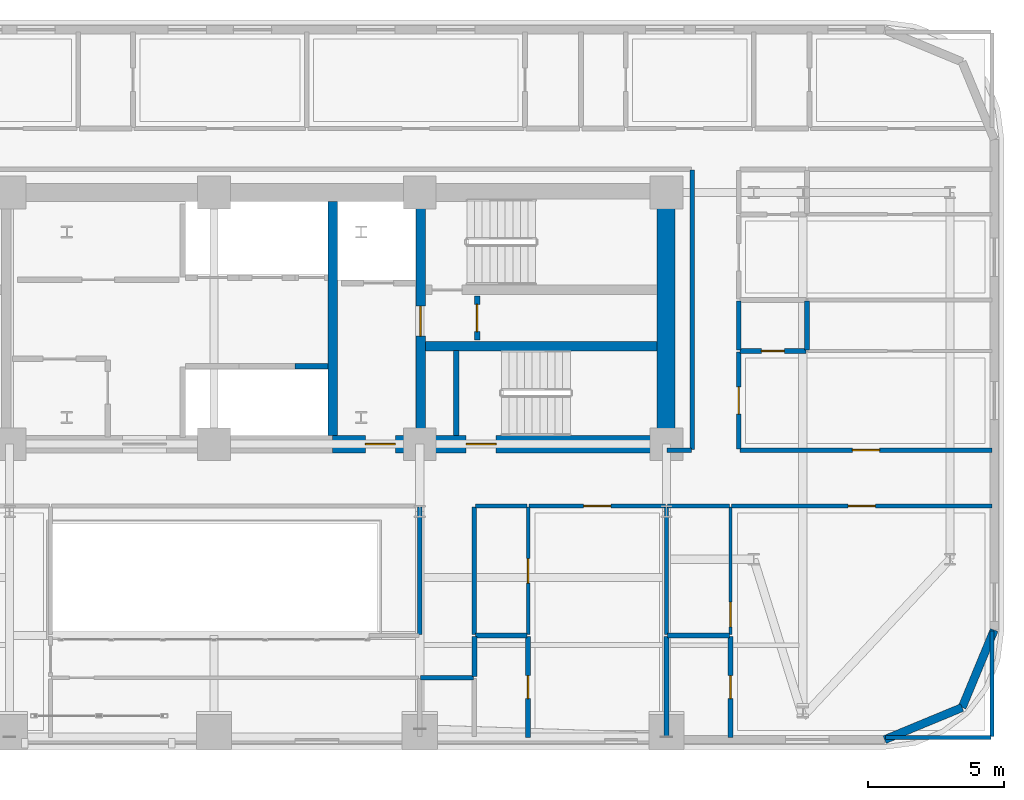
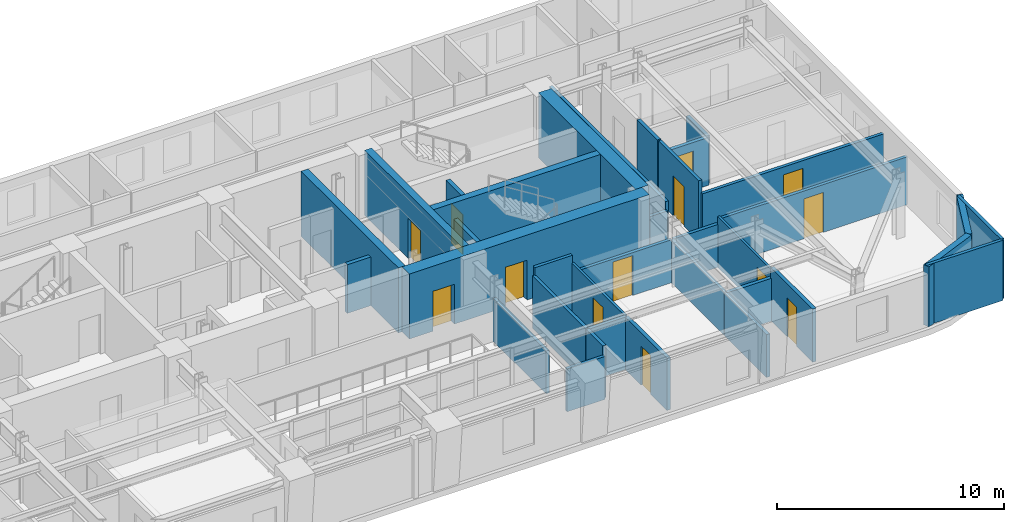
# One storey, part 11 of 16: 35 walls, 13 doors, 13 openings.
"""IFC4 building model written with IfcOpenShell, lengths in metres."""

from ifc_helpers import new_model, si_unit, direction, frame, frame_2d, origin, place, context, subcontext, project, spatial, rectangle, extrude, material, layer, layer_set, type_object, element, fill, save


model = new_model("IFC4")

# Units and contexts
model_context = context("Model", 3, precision=1e-05, world=origin(), true_north=direction((0.0, 1.0)))
body_context = subcontext(model_context, "Body", "Model", "MODEL_VIEW")
ifc_project = project(units=[si_unit("LENGTHUNIT", "METRE"), si_unit("AREAUNIT", "SQUARE_METRE"), si_unit("VOLUMEUNIT", "CUBIC_METRE"), si_unit("PLANEANGLEUNIT", "RADIAN"), si_unit("MASSUNIT", "GRAM", prefix="KILO")], contexts=[model_context])

# Site, building, storey
site_placement = place(None, origin())
site = spatial("IfcSite", under=ifc_project, at=site_placement, CompositionType="ELEMENT")
building_placement = place(site_placement, origin())
building = spatial("IfcBuilding", under=site, at=building_placement, Name="Zarnavel Station Tower", CompositionType="ELEMENT")
storey_placement = place(building_placement, frame((0.0, 0.0, 97.800048828125)))
storey = spatial("IfcBuildingStorey", under=building, at=storey_placement, Name="L26", CompositionType="ELEMENT", Elevation=97.800048828125)

# Wall
ifc_material_1 = material(Name="Concrete C50/60", Category="concrete")
ifc_layer_1 = layer(ifc_material_1, 0.35009765625)
ifc_layer_set_1 = layer_set([ifc_layer_1], Name="CW_350")
wall_type_1 = type_object("IfcWallType", Name="CW_350", PredefinedType="SHEAR", material=ifc_layer_set_1)
wall_1_placement = place(storey_placement, frame((33.14990234375, 28.14501953125, 0.0), z_axis=(0.0, 0.0, 1.0), x_axis=(0.0, 1.0, 0.0)))
element("IfcWall", 1, at=wall_1_placement, inside=storey, type_object=wall_type_1, Name="L26 Rear Core Shear Wall DIV-E", PredefinedType="SHEAR", context=body_context, shape_type="SweptSolid", body=[
    extrude(rectangle(XDim=8.580078125, YDim=0.35009765625, at=frame_2d((4.2900390625, 0.0))), origin(), (0.0, 0.0, 1.0), 3.5),
])

# Wall, opening, door
wall_2_placement = place(storey_placement, frame((36.3798828125, 28.14501953125, 0.0), z_axis=(0.0, 0.0, 1.0), x_axis=(0.0, 1.0, 0.0)))
wall_2 = element("IfcWall", 2, at=wall_2_placement, inside=storey, type_object=wall_type_1, Name="L26 Rear Core Shear Wall DIV-S2", PredefinedType="SHEAR", context=body_context, shape_type="SweptSolid", body=[
    extrude(rectangle(XDim=8.580078125, YDim=0.35009765625, at=frame_2d((4.2900390625, 0.0))), origin(), (0.0, 0.0, 1.0), 3.5),
])
opening_1_placement = place(wall_2_placement, frame((3.635009765625, 0.0, 0.0)))
opening_1 = element("IfcOpeningElement", 3, at=opening_1_placement, cuts=wall_2, Name="Opening FD01", PredefinedType="OPENING", context=body_context, shape_type="SweptSolid", body=[
    extrude(rectangle(XDim=1.10009765625, YDim=2.14990234375, at=frame_2d((0.550048828125, 1.074951171875))), frame((0.0, 0.18505859375, 0.0), z_axis=(0.0, -1.0, 0.0), x_axis=(1.0, 0.0, 0.0)), (0.0, 0.0, 1.0), 0.3701171875),
])
ifc_material_2 = material(Name="Painted Galvanised Steel and Hardwood Leaf", Category="steel")
door_type_1 = type_object("IfcDoorType", Name="ID_STAIR_1100", OperationType="NOTDEFINED", PredefinedType="DOOR", material=ifc_material_2)
door_1_placement = place(opening_1_placement, origin())
door_1 = element("IfcDoor", 4, at=door_1_placement, inside=storey, type_object=door_type_1, Name="L26 East Stair Vestibule Fire Door", OperationType="SINGLE_SWING_LEFT", OverallHeight=2.14990234375, OverallWidth=1.10009765625, PredefinedType="DOOR", context=body_context, shape_type="SweptSolid", body=[
    extrude(rectangle(XDim=1.10009765625, YDim=2.14990234375, at=frame_2d((0.550048828125, 1.074951171875))), frame((0.0, 0.02490234375, 0.0), z_axis=(0.0, -1.0, 0.0), x_axis=(1.0, 0.0, 0.0)), (0.0, 0.0, 1.0), 0.050048828125),
])
fill(opening_1, door_1)

# Wall
wall_3_placement = place(storey_placement, frame((36.554931640625, 31.419921875, 0.0), z_axis=(0.0, 0.0, 1.0), x_axis=(1.0, 0.0, 0.0)))
element("IfcWall", 5, at=wall_3_placement, inside=storey, type_object=wall_type_1, Name="L26 Rear Core Shear Wall DIV-H3", PredefinedType="SHEAR", context=body_context, shape_type="SweptSolid", body=[
    extrude(rectangle(XDim=8.5, YDim=0.35009765625, at=frame_2d((4.25, 0.0))), origin(), (0.0, 0.0, 1.0), 3.5),
])

# Wall, openings, doors
ifc_material_3 = material(Name="Concrete C60/75", Category="concrete")
ifc_layer_2 = layer(ifc_material_3, 0.64990234375)
ifc_layer_set_2 = layer_set([ifc_layer_2], Name="CW_650")
wall_type_2 = type_object("IfcWallType", Name="CW_650", PredefinedType="SHEAR", material=ifc_layer_set_2)
wall_4_placement = place(storey_placement, frame((45.3798828125, 27.820068359375, 0.0), z_axis=(0.0, 0.0, 1.0), x_axis=(-1.0, 0.0, 0.0)))
wall_4 = element("IfcWall", 6, at=wall_4_placement, inside=storey, type_object=wall_type_2, Name="L26 Rear Core Shear Wall S-E", PredefinedType="SHEAR", context=body_context, shape_type="SweptSolid", body=[
    extrude(rectangle(XDim=12.22998046875, YDim=0.64990234375, at=frame_2d((6.114990234375, 0.0))), origin(), (0.0, 0.0, 1.0), 3.5),
])
opening_2_placement = place(wall_4_placement, frame((9.929931640625, 0.0, 0.0)))
opening_2 = element("IfcOpeningElement", 7, at=opening_2_placement, cuts=wall_4, Name="Opening FD01", PredefinedType="OPENING", context=body_context, shape_type="SweptSolid", body=[
    extrude(rectangle(XDim=1.10009765625, YDim=2.14990234375, at=frame_2d((0.550048828125, 1.074951171875))), frame((0.0, 0.3349609375, 0.0), z_axis=(0.0, -1.0, 0.0), x_axis=(1.0, 0.0, 0.0)), (0.0, 0.0, 1.0), 0.669921875),
])
opening_3_placement = place(wall_4_placement, frame((6.22998046875, 0.0, 0.0)))
opening_3 = element("IfcOpeningElement", 8, at=opening_3_placement, cuts=wall_4, Name="Opening FD01", PredefinedType="OPENING", context=body_context, shape_type="SweptSolid", body=[
    extrude(rectangle(XDim=1.10009765625, YDim=2.14990234375, at=frame_2d((0.550048828125, 1.074951171875))), frame((0.0, 0.3349609375, 0.0), z_axis=(0.0, -1.0, 0.0), x_axis=(1.0, 0.0, 0.0)), (0.0, 0.0, 1.0), 0.669921875),
])
door_2_placement = place(opening_2_placement, origin())
door_2 = element("IfcDoor", 9, at=door_2_placement, inside=storey, type_object=door_type_1, Name="L26 East Firefighting Lobby Door", OperationType="SINGLE_SWING_LEFT", OverallHeight=2.14990234375, OverallWidth=1.10009765625, PredefinedType="DOOR", context=body_context, shape_type="SweptSolid", body=[
    extrude(rectangle(XDim=1.10009765625, YDim=2.14990234375, at=frame_2d((0.550048828125, 1.074951171875))), frame((0.0, 0.02490234375, 0.0), z_axis=(0.0, -1.0, 0.0), x_axis=(1.0, 0.0, 0.0)), (0.0, 0.0, 1.0), 0.050048828125),
])
fill(opening_2, door_2)
door_3_placement = place(opening_3_placement, origin())
door_3 = element("IfcDoor", 10, at=door_3_placement, inside=storey, type_object=door_type_1, Name="L26 Stair ST3 Corridor Fire Door", OperationType="SINGLE_SWING_RIGHT", OverallHeight=2.14990234375, OverallWidth=1.10009765625, PredefinedType="DOOR", context=body_context, shape_type="SweptSolid", body=[
    extrude(rectangle(XDim=1.10009765625, YDim=2.14990234375, at=frame_2d((0.550048828125, 1.074951171875))), frame((0.0, 0.02490234375, 0.0), z_axis=(0.0, -1.0, 0.0), x_axis=(1.0, 0.0, 0.0)), (0.0, 0.0, 1.0), 0.050048828125),
])
fill(opening_3, door_3)

# Walls
wall_5_placement = place(storey_placement, frame((45.3798828125, 28.14501953125, 0.0), z_axis=(0.0, 0.0, 1.0), x_axis=(0.0, 1.0, 0.0)))
element("IfcWall", 11, at=wall_5_placement, inside=storey, type_object=wall_type_2, Name="L26 Rear Core Shear Wall E", PredefinedType="SHEAR", context=body_context, shape_type="SweptSolid", body=[
    extrude(rectangle(XDim=8.580078125, YDim=0.64990234375, at=frame_2d((4.2900390625, 0.0))), origin(), (0.0, 0.0, 1.0), 3.5),
])
ifc_material_4 = material(Name="Precast concrete C45/55 (Dark Basalt Finish)", Category="masonry")
ifc_layer_3 = layer(ifc_material_4, 0.300048828125)
ifc_layer_set_3 = layer_set([ifc_layer_3], Name="EW_BASALT_300")
wall_type_3 = type_object("IfcWallType", Name="EW_BASALT_300", PredefinedType="SOLIDWALL", material=ifc_layer_set_3)
wall_6_placement = place(storey_placement, frame((56.24267578125, 18.157470703125, 0.0), z_axis=(0.0, 0.0, 1.0), x_axis=(-0.923882414032, -0.382676475685, 0.0)))
element("IfcWall", 12, at=wall_6_placement, inside=storey, type_object=wall_type_3, Name="L26 Exterior Basalt Masonry Frame Wall 01", PredefinedType="SOLIDWALL", context=body_context, shape_type="SweptSolid", body=[
    extrude(rectangle(XDim=3.076904296875, YDim=0.300048828125, at=frame_2d((1.53857421875, 0.0))), origin(), (0.0, 0.0, 1.0), 3.239990234375),
])
wall_7_placement = place(storey_placement, frame((57.419921875, 21.0, 0.0), z_axis=(0.0, 0.0, 1.0), x_axis=(-0.382636798336, -0.92389884758, 0.0)))
element("IfcWall", 13, at=wall_7_placement, inside=storey, type_object=wall_type_3, Name="L26 Exterior Basalt Masonry Frame Wall 02", PredefinedType="SOLIDWALL", context=body_context, shape_type="SweptSolid", body=[
    extrude(rectangle(XDim=3.07666015625, YDim=0.300048828125, at=frame_2d((1.538330078125, 0.0))), origin(), (0.0, 0.0, 1.0), 3.239990234375),
])

# Wall, opening, door
ifc_material_5 = material(Name="Gypsum Twin-Stud Acoustic Fire Partition", Category="concrete")
ifc_layer_4 = layer(ifc_material_5, 0.159912109375)
ifc_layer_set_4 = layer_set([ifc_layer_4], Name="PT_DEMISE_160")
wall_type_4 = type_object("IfcWallType", Name="PT_DEMISE_160", PredefinedType="PARTITIONING", material=ifc_layer_set_4)
wall_8_placement = place(storey_placement, frame((48.090087890625, 27.60009765625, 0.0), z_axis=(0.0, 0.0, 1.0), x_axis=(1.0, 0.0, 0.0)))
wall_8 = element("IfcWall", 14, at=wall_8_placement, inside=storey, type_object=wall_type_4, Name="L26 Partition COR-S-FNE1R", PredefinedType="PARTITIONING", context=body_context, shape_type="SweptSolid", body=[
    extrude(rectangle(XDim=9.25, YDim=0.159912109375, at=frame_2d((4.625, 0.0))), origin(), (0.0, 0.0, 1.0), 2.570068359375),
])
opening_4_placement = place(wall_8_placement, frame((4.125, 0.0, 0.0)))
opening_4 = element("IfcOpeningElement", 15, at=opening_4_placement, cuts=wall_8, Name="Opening FD02", PredefinedType="OPENING", context=body_context, shape_type="SweptSolid", body=[
    extrude(rectangle(XDim=1.0, YDim=2.14990234375, at=frame_2d((0.5, 1.074951171875))), frame((0.0, 0.08984375, 0.0), z_axis=(0.0, -1.0, 0.0), x_axis=(1.0, 0.0, 0.0)), (0.0, 0.0, 1.0), 0.179931640625),
])
ifc_material_6 = material(Name="Painted Galvanised Steel and Hardwood Leaf", Category="steel")
door_type_2 = type_object("IfcDoorType", Name="ID_ENTRY_1000", OperationType="NOTDEFINED", PredefinedType="DOOR", material=ifc_material_6)
door_4_placement = place(opening_4_placement, origin())
door_4 = element("IfcDoor", 16, at=door_4_placement, inside=storey, type_object=door_type_2, Name="L26 Door COR-S-FNE1R", OperationType="SINGLE_SWING_LEFT", OverallHeight=2.14990234375, OverallWidth=1.0, PredefinedType="DOOR", context=body_context, shape_type="SweptSolid", body=[
    extrude(rectangle(XDim=1.0, YDim=2.14990234375, at=frame_2d((0.5, 1.074951171875))), frame((0.0, 0.02490234375, 0.0), z_axis=(0.0, -1.0, 0.0), x_axis=(1.0, 0.0, 0.0)), (0.0, 0.0, 1.0), 0.050048828125),
])
fill(opening_4, door_4)

wall_9_placement = place(storey_placement, frame((40.364013671875, 25.550048828125, 0.0), z_axis=(0.0, 0.0, 1.0), x_axis=(1.0, 0.0, 0.0)))
wall_9 = element("IfcWall", 17, at=wall_9_placement, inside=storey, type_object=wall_type_4, Name="L26 Partition COR-S-HE1R", PredefinedType="PARTITIONING", context=body_context, shape_type="SweptSolid", body=[
    extrude(rectangle(XDim=4.99609375, YDim=0.159912109375, at=frame_2d((2.498046875, 0.0))), origin(), (0.0, 0.0, 1.0), 2.31005859375),
])
opening_5_placement = place(wall_9_placement, frame((1.998046875, 0.0, 0.0)))
opening_5 = element("IfcOpeningElement", 18, at=opening_5_placement, cuts=wall_9, Name="Opening FD02", PredefinedType="OPENING", context=body_context, shape_type="SweptSolid", body=[
    extrude(rectangle(XDim=1.0, YDim=2.14990234375, at=frame_2d((0.5, 1.074951171875))), frame((0.0, 0.08984375, 0.0), z_axis=(0.0, -1.0, 0.0), x_axis=(1.0, 0.0, 0.0)), (0.0, 0.0, 1.0), 0.179931640625),
])
door_5_placement = place(opening_5_placement, origin())
door_5 = element("IfcDoor", 19, at=door_5_placement, inside=storey, type_object=door_type_2, Name="L26 Door COR-S-HE1R", OperationType="SINGLE_SWING_RIGHT", OverallHeight=2.14990234375, OverallWidth=1.0, PredefinedType="DOOR", context=body_context, shape_type="SweptSolid", body=[
    extrude(rectangle(XDim=1.0, YDim=2.14990234375, at=frame_2d((0.5, 1.074951171875))), frame((0.0, 0.02490234375, 0.0), z_axis=(0.0, -1.0, 0.0), x_axis=(1.0, 0.0, 0.0)), (0.0, 0.0, 1.0), 0.050048828125),
])
fill(opening_5, door_5)

# Wall
wall_10_placement = place(storey_placement, frame((38.389892578125, 25.550048828125, 0.0), z_axis=(0.0, 0.0, 1.0), x_axis=(1.0, 0.0, 0.0)))
element("IfcWall", 20, at=wall_10_placement, inside=storey, type_object=wall_type_4, Name="L26 Partition COR-S-HE1S", PredefinedType="PARTITIONING", context=body_context, shape_type="SweptSolid", body=[
    extrude(rectangle(XDim=1.89404296875, YDim=0.159912109375, at=frame_2d((0.947021484375, 0.0))), origin(), (0.0, 0.0, 1.0), 3.239990234375),
])

# Wall, opening, door
wall_11_placement = place(storey_placement, frame((47.7900390625, 25.550048828125, 0.0), z_axis=(0.0, 0.0, 1.0), x_axis=(1.0, 0.0, 0.0)))
wall_11 = element("IfcWall", 21, at=wall_11_placement, inside=storey, type_object=wall_type_4, Name="L26 Partition COR-S-HE2R", PredefinedType="PARTITIONING", context=body_context, shape_type="SweptSolid", body=[
    extrude(rectangle(XDim=9.550048828125, YDim=0.159912109375, at=frame_2d((4.77490234375, 0.0))), origin(), (0.0, 0.0, 1.0), 2.570068359375),
])
opening_6_placement = place(wall_11_placement, frame((4.27490234375, 0.0, 0.0)))
opening_6 = element("IfcOpeningElement", 22, at=opening_6_placement, cuts=wall_11, Name="Opening FD02", PredefinedType="OPENING", context=body_context, shape_type="SweptSolid", body=[
    extrude(rectangle(XDim=1.0, YDim=2.14990234375, at=frame_2d((0.5, 1.074951171875))), frame((0.0, 0.08984375, 0.0), z_axis=(0.0, -1.0, 0.0), x_axis=(1.0, 0.0, 0.0)), (0.0, 0.0, 1.0), 0.179931640625),
])
door_6_placement = place(opening_6_placement, origin())
door_6 = element("IfcDoor", 23, at=door_6_placement, inside=storey, type_object=door_type_2, Name="L26 Door COR-S-HE2R", OperationType="SINGLE_SWING_LEFT", OverallHeight=2.14990234375, OverallWidth=1.0, PredefinedType="DOOR", context=body_context, shape_type="SweptSolid", body=[
    extrude(rectangle(XDim=1.0, YDim=2.14990234375, at=frame_2d((0.5, 1.074951171875))), frame((0.0, 0.02490234375, 0.0), z_axis=(0.0, -1.0, 0.0), x_axis=(1.0, 0.0, 0.0)), (0.0, 0.0, 1.0), 0.050048828125),
])
fill(opening_6, door_6)

# Wall
wall_12_placement = place(storey_placement, frame((45.43994140625, 25.550048828125, 0.0), z_axis=(0.0, 0.0, 1.0), x_axis=(1.0, 0.0, 0.0)))
element("IfcWall", 24, at=wall_12_placement, inside=storey, type_object=wall_type_4, Name="L26 Partition COR-S-HE2S", PredefinedType="PARTITIONING", context=body_context, shape_type="SweptSolid", body=[
    extrude(rectangle(XDim=2.27001953125, YDim=0.159912109375, at=frame_2d((1.135009765625, 0.0))), origin(), (0.0, 0.0, 1.0), 2.31005859375),
])

# Wall, opening, door
wall_13_placement = place(storey_placement, frame((48.050048828125, 27.639892578125, 0.0), z_axis=(0.0, 0.0, 1.0), x_axis=(0.0, 1.0, 0.0)))
wall_13 = element("IfcWall", 25, at=wall_13_placement, inside=storey, type_object=wall_type_4, Name="L26 Partition COR-E-FNE1R", PredefinedType="PARTITIONING", context=body_context, shape_type="SweptSolid", body=[
    extrude(rectangle(XDim=3.55615234375, YDim=0.159912109375, at=frame_2d((1.778076171875, 0.0))), origin(), (0.0, 0.0, 1.0), 3.239990234375),
])
opening_7_placement = place(wall_13_placement, frame((1.278076171875, 0.0, 0.0)))
opening_7 = element("IfcOpeningElement", 26, at=opening_7_placement, cuts=wall_13, Name="Opening FD02", PredefinedType="OPENING", context=body_context, shape_type="SweptSolid", body=[
    extrude(rectangle(XDim=1.0, YDim=2.14990234375, at=frame_2d((0.5, 1.074951171875))), frame((0.0, 0.08984375, 0.0), z_axis=(0.0, -1.0, 0.0), x_axis=(1.0, 0.0, 0.0)), (0.0, 0.0, 1.0), 0.179931640625),
])
door_7_placement = place(opening_7_placement, origin())
door_7 = element("IfcDoor", 27, at=door_7_placement, inside=storey, type_object=door_type_2, Name="L26 Door COR-E-FNE1R", OperationType="SINGLE_SWING_RIGHT", OverallHeight=2.14990234375, OverallWidth=1.0, PredefinedType="DOOR", context=body_context, shape_type="SweptSolid", body=[
    extrude(rectangle(XDim=1.0, YDim=2.14990234375, at=frame_2d((0.5, 1.074951171875))), frame((0.0, 0.02490234375, 0.0), z_axis=(0.0, -1.0, 0.0), x_axis=(1.0, 0.0, 0.0)), (0.0, 0.0, 1.0), 0.050048828125),
])
fill(opening_7, door_7)

# Walls
wall_14_placement = place(storey_placement, frame((38.35009765625, 20.8359375, 0.0), z_axis=(0.0, 0.0, 1.0), x_axis=(0.0, 1.0, 0.0)))
element("IfcWall", 28, at=wall_14_placement, inside=storey, type_object=wall_type_4, Name="L26 Partition COR-AE-HE1S", PredefinedType="PARTITIONING", context=body_context, shape_type="SweptSolid", body=[
    extrude(rectangle(XDim=4.674072265625, YDim=0.159912109375, at=frame_2d((2.3369140625, 0.0))), origin(), (0.0, 0.0, 1.0), 2.820068359375),
])
wall_15_placement = place(storey_placement, frame((45.39990234375, 20.8359375, 0.0), z_axis=(0.0, 0.0, 1.0), x_axis=(0.0, 1.0, 0.0)))
element("IfcWall", 29, at=wall_15_placement, inside=storey, type_object=wall_type_4, Name="L26 Partition HE1R-HE2S", PredefinedType="PARTITIONING", context=body_context, shape_type="SweptSolid", body=[
    extrude(rectangle(XDim=4.674072265625, YDim=0.159912109375, at=frame_2d((2.3369140625, 0.0))), origin(), (0.0, 0.0, 1.0), 2.31005859375),
])
wall_16_placement = place(storey_placement, frame((45.409912109375, 27.60009765625, 0.0), z_axis=(0.0, 0.0, 1.0), x_axis=(1.0, 0.0, 0.0)))
element("IfcWall", 30, at=wall_16_placement, inside=storey, type_object=wall_type_4, Name="L26 Enclosure Wall COR-S", PredefinedType="PARTITIONING", context=body_context, shape_type="SweptSolid", body=[
    extrude(rectangle(XDim=0.91015625, YDim=0.159912109375, at=frame_2d((0.455078125, 0.0))), origin(), (0.0, 0.0, 1.0), 2.280029296875),
])
wall_17_placement = place(storey_placement, frame((46.35009765625, 27.6298828125, 0.0), z_axis=(0.0, 0.0, 1.0), x_axis=(0.0, 1.0, 0.0)))
element("IfcWall", 31, at=wall_17_placement, inside=storey, type_object=wall_type_4, Name="L26 Enclosure Wall COR-E", PredefinedType="PARTITIONING", context=body_context, shape_type="SweptSolid", body=[
    extrude(rectangle(XDim=10.240234375, YDim=0.159912109375, at=frame_2d((5.1201171875, 0.0))), origin(), (0.0, 0.0, 1.0), 2.719970703125),
])
wall_18_placement = place(storey_placement, frame((36.3798828125, 19.25, 0.0), z_axis=(0.0, 0.0, 1.0), x_axis=(1.0, 0.0, 0.0)))
element("IfcWall", 32, at=wall_18_placement, inside=storey, type_object=wall_type_4, Name="L26 Enclosure Wall COR-AE", PredefinedType="PARTITIONING", context=body_context, shape_type="SweptSolid", body=[
    extrude(rectangle(XDim=1.940185546875, YDim=0.159912109375, at=frame_2d((0.97021484375, 0.0))), origin(), (0.0, 0.0, 1.0), 2.31005859375),
])
wall_19_placement = place(storey_placement, frame((36.35009765625, 20.830078125, 0.0), z_axis=(0.0, 0.0, 1.0), x_axis=(0.0, 1.0, 0.0)))
element("IfcWall", 33, at=wall_19_placement, inside=storey, type_object=wall_type_4, Name="L26 Enclosure Wall COR-AE", PredefinedType="PARTITIONING", context=body_context, shape_type="SweptSolid", body=[
    extrude(rectangle(XDim=4.68994140625, YDim=0.159912109375, at=frame_2d((2.344970703125, 0.0))), origin(), (0.0, 0.0, 1.0), 2.31005859375),
])
wall_20_placement = place(storey_placement, frame((53.429931640625, 17.06005859375, 0.0), z_axis=(0.0, 0.0, 1.0), x_axis=(1.0, 0.0, 0.0)))
element("IfcWall", 34, at=wall_20_placement, inside=storey, type_object=wall_type_4, Name="L26 Enclosure Wall HE2R", PredefinedType="PARTITIONING", context=body_context, shape_type="SweptSolid", body=[
    extrude(rectangle(XDim=3.880126953125, YDim=0.159912109375, at=frame_2d((1.93994140625, 0.0))), origin(), (0.0, 0.0, 1.0), 3.239990234375),
])
wall_21_placement = place(storey_placement, frame((57.340087890625, 17.090087890625, 0.0), z_axis=(0.0, 0.0, 1.0), x_axis=(0.0, 1.0, 0.0)))
element("IfcWall", 35, at=wall_21_placement, inside=storey, type_object=wall_type_4, Name="L26 Enclosure Wall HE2R", PredefinedType="PARTITIONING", context=body_context, shape_type="SweptSolid", body=[
    extrude(rectangle(XDim=3.8798828125, YDim=0.159912109375, at=frame_2d((1.93994140625, 0.0))), origin(), (0.0, 0.0, 1.0), 3.239990234375),
])

# Wall, opening, door
ifc_material_7 = material(Name="Gypsum Metal-Stud Interior Partition", Category="concrete")
ifc_layer_5 = layer(ifc_material_7, 0.1201171875)
ifc_layer_set_5 = layer_set([ifc_layer_5], Name="PT_ROOM_120")
wall_type_5 = type_object("IfcWallType", Name="PT_ROOM_120", PredefinedType="PARTITIONING", material=ifc_layer_set_5)
wall_22_placement = place(storey_placement, frame((40.323974609375, 20.8359375, 0.0), z_axis=(0.0, 0.0, 1.0), x_axis=(0.0, 1.0, 0.0)))
wall_22 = element("IfcWall", 36, at=wall_22_placement, inside=storey, type_object=wall_type_5, Name="L26 Partition HE1R-HE1S", PredefinedType="PARTITIONING", context=body_context, shape_type="SweptSolid", body=[
    extrude(rectangle(XDim=4.674072265625, YDim=0.1201171875, at=frame_2d((2.3369140625, 0.0))), origin(), (0.0, 0.0, 1.0), 2.820068359375),
])
opening_8_placement = place(wall_22_placement, frame((1.886962890625, 0.0, 0.0)))
opening_8 = element("IfcOpeningElement", 37, at=opening_8_placement, cuts=wall_22, Name="Opening ID01", PredefinedType="OPENING", context=body_context, shape_type="SweptSolid", body=[
    extrude(rectangle(XDim=0.89990234375, YDim=2.10009765625, at=frame_2d((0.449951171875, 1.050048828125))), frame((0.0, 0.070068359375, 0.0), z_axis=(0.0, -1.0, 0.0), x_axis=(1.0, 0.0, 0.0)), (0.0, 0.0, 1.0), 0.14013671875),
])
ifc_material_8 = material(Name="Painted Galvanised Steel and Hardwood Leaf", Category="steel")
door_type_3 = type_object("IfcDoorType", Name="ID_ROOM_900", OperationType="NOTDEFINED", PredefinedType="DOOR", material=ifc_material_8)
door_8_placement = place(opening_8_placement, origin())
door_8 = element("IfcDoor", 38, at=door_8_placement, inside=storey, type_object=door_type_3, Name="L26 Door HE1R-HE1S", OperationType="SINGLE_SWING_RIGHT", OverallHeight=2.10009765625, OverallWidth=0.89990234375, PredefinedType="DOOR", context=body_context, shape_type="SweptSolid", body=[
    extrude(rectangle(XDim=0.89990234375, YDim=2.10009765625, at=frame_2d((0.449951171875, 1.050048828125))), frame((0.0, 0.02490234375, 0.0), z_axis=(0.0, -1.0, 0.0), x_axis=(1.0, 0.0, 0.0)), (0.0, 0.0, 1.0), 0.050048828125),
])
fill(opening_8, door_8)

wall_23_placement = place(storey_placement, frame((47.75, 20.8359375, 0.0), z_axis=(0.0, 0.0, 1.0), x_axis=(0.0, 1.0, 0.0)))
wall_23 = element("IfcWall", 39, at=wall_23_placement, inside=storey, type_object=wall_type_5, Name="L26 Partition HE2R-HE2S", PredefinedType="PARTITIONING", context=body_context, shape_type="SweptSolid", body=[
    extrude(rectangle(XDim=4.674072265625, YDim=0.1201171875, at=frame_2d((2.3369140625, 0.0))), origin(), (0.0, 0.0, 1.0), 2.719970703125),
])
opening_9_placement = place(wall_23_placement, frame((0.28564453125, 0.0, 0.0)))
opening_9 = element("IfcOpeningElement", 40, at=opening_9_placement, cuts=wall_23, Name="Opening ID01", PredefinedType="OPENING", context=body_context, shape_type="SweptSolid", body=[
    extrude(rectangle(XDim=0.89990234375, YDim=2.10009765625, at=frame_2d((0.449951171875, 1.050048828125))), frame((0.0, 0.070068359375, 0.0), z_axis=(0.0, -1.0, 0.0), x_axis=(1.0, 0.0, 0.0)), (0.0, 0.0, 1.0), 0.14013671875),
])
door_9_placement = place(opening_9_placement, origin())
door_9 = element("IfcDoor", 41, at=door_9_placement, inside=storey, type_object=door_type_3, Name="L26 Door HE2R-HE2S", OperationType="SINGLE_SWING_RIGHT", OverallHeight=2.10009765625, OverallWidth=0.89990234375, PredefinedType="DOOR", context=body_context, shape_type="SweptSolid", body=[
    extrude(rectangle(XDim=0.89990234375, YDim=2.10009765625, at=frame_2d((0.449951171875, 1.050048828125))), frame((0.0, 0.02490234375, 0.0), z_axis=(0.0, -1.0, 0.0), x_axis=(1.0, 0.0, 0.0)), (0.0, 0.0, 1.0), 0.050048828125),
])
fill(opening_9, door_9)

# Walls
ifc_material_9 = material(Name="Precast concrete C45/55 (Fire Shaft Blockwork)", Category="masonry")
ifc_layer_6 = layer(ifc_material_9, 0.199951171875)
ifc_layer_set_6 = layer_set([ifc_layer_6], Name="PT_SHAFT_200")
wall_type_6 = type_object("IfcWallType", Name="PT_SHAFT_200", PredefinedType="PARTITIONING", material=ifc_layer_set_6)
wall_24_placement = place(storey_placement, frame((31.77490234375, 30.669921875, 0.0), z_axis=(0.0, 0.0, 1.0), x_axis=(1.0, 0.0, 0.0)))
element("IfcWall", 42, at=wall_24_placement, inside=storey, type_object=wall_type_6, Name="L26 Lift PL-H3 Shaft Front Wall", PredefinedType="PARTITIONING", context=body_context, shape_type="SweptSolid", body=[
    extrude(rectangle(XDim=1.2001953125, YDim=0.199951171875, at=frame_2d((0.60009765625, 0.0))), origin(), (0.0, 0.0, 1.0), 2.619873046875),
])
wall_25_placement = place(storey_placement, frame((37.679931640625, 28.14501953125, 0.0), z_axis=(0.0, 0.0, 1.0), x_axis=(0.0, 1.0, 0.0)))
element("IfcWall", 43, at=wall_25_placement, inside=storey, type_object=wall_type_6, Name="L26 Stair ST3 West Shaft Wall", PredefinedType="PARTITIONING", context=body_context, shape_type="SweptSolid", body=[
    extrude(rectangle(XDim=3.10498046875, YDim=0.199951171875, at=frame_2d((1.552490234375, 0.0))), origin(), (0.0, 0.0, 1.0), 2.619873046875),
])

# Wall, opening, door
wall_26_placement = place(storey_placement, frame((38.449951171875, 31.639892578125, 0.0), z_axis=(0.0, 0.0, 1.0), x_axis=(0.0, 1.0, 0.0)))
wall_26 = element("IfcWall", 44, at=wall_26_placement, inside=storey, type_object=wall_type_6, Name="L26 Partition ESTV-CEA", PredefinedType="PARTITIONING", context=body_context, shape_type="SweptSolid", body=[
    extrude(rectangle(XDim=1.6201171875, YDim=0.199951171875, at=frame_2d((0.81005859375, 0.0))), origin(), (0.0, 0.0, 1.0), 3.239990234375),
])
opening_10_placement = place(wall_26_placement, frame((0.31005859375, 0.0, 0.0)))
opening_10 = element("IfcOpeningElement", 45, at=opening_10_placement, cuts=wall_26, Name="Opening FD02", PredefinedType="OPENING", context=body_context, shape_type="SweptSolid", body=[
    extrude(rectangle(XDim=1.0, YDim=2.14990234375, at=frame_2d((0.5, 1.074951171875))), frame((0.0, 0.10986328125, 0.0), z_axis=(0.0, -1.0, 0.0), x_axis=(1.0, 0.0, 0.0)), (0.0, 0.0, 1.0), 0.219970703125),
])
door_10_placement = place(opening_10_placement, origin())
door_10 = element("IfcDoor", 46, at=door_10_placement, inside=storey, type_object=door_type_2, Name="L26 Door ESTV-CEA", OperationType="SINGLE_SWING_RIGHT", OverallHeight=2.14990234375, OverallWidth=1.0, PredefinedType="DOOR", context=body_context, shape_type="SweptSolid", body=[
    extrude(rectangle(XDim=1.0, YDim=2.14990234375, at=frame_2d((0.5, 1.074951171875))), frame((0.0, 0.02490234375, 0.0), z_axis=(0.0, -1.0, 0.0), x_axis=(1.0, 0.0, 0.0)), (0.0, 0.0, 1.0), 0.050048828125),
])
fill(opening_10, door_10)

# Walls
ifc_material_10 = material(Name="Moisture-Resistant Plumbing Chase Wall", Category="concrete")
ifc_layer_7 = layer(ifc_material_10, 0.179931640625)
ifc_layer_set_7 = layer_set([ifc_layer_7], Name="PW_PLUMB_180")
wall_type_7 = type_object("IfcWallType", Name="PW_PLUMB_180", PredefinedType="PLUMBINGWALL", material=ifc_layer_set_7)
wall_27_placement = place(storey_placement, frame((48.050048828125, 31.27587890625, 0.0), z_axis=(0.0, 0.0, 1.0), x_axis=(0.0, 1.0, 0.0)))
element("IfcWall", 47, at=wall_27_placement, inside=storey, type_object=wall_type_7, Name="L26 Partition COR-E-FNE1B", PredefinedType="PLUMBINGWALL", context=body_context, shape_type="SweptSolid", body=[
    extrude(rectangle(XDim=1.793212890625, YDim=0.179931640625, at=frame_2d((0.896484375, 0.0))), origin(), (0.0, 0.0, 1.0), 3.239990234375),
])
wall_28_placement = place(storey_placement, frame((38.35009765625, 19.2900390625, 0.0), z_axis=(0.0, 0.0, 1.0), x_axis=(0.0, 1.0, 0.0)))
element("IfcWall", 48, at=wall_28_placement, inside=storey, type_object=wall_type_7, Name="L26 Partition COR-AE-HE1B", PredefinedType="PLUMBINGWALL", context=body_context, shape_type="SweptSolid", body=[
    extrude(rectangle(XDim=1.466064453125, YDim=0.179931640625, at=frame_2d((0.73291015625, 0.0))), origin(), (0.0, 0.0, 1.0), 2.820068359375),
])

# Wall, opening, door
wall_29_placement = place(storey_placement, frame((48.090087890625, 31.236083984375, 0.0), z_axis=(0.0, 0.0, 1.0), x_axis=(1.0, 0.0, 0.0)))
wall_29 = element("IfcWall", 49, at=wall_29_placement, inside=storey, type_object=wall_type_7, Name="L26 Partition FNE1R-FNE1B", PredefinedType="PLUMBINGWALL", context=body_context, shape_type="SweptSolid", body=[
    extrude(rectangle(XDim=2.419921875, YDim=0.179931640625, at=frame_2d((1.2099609375, 0.0))), origin(), (0.0, 0.0, 1.0), 2.570068359375),
])
opening_11_placement = place(wall_29_placement, frame((0.784912109375, 0.0, 0.0)))
opening_11 = element("IfcOpeningElement", 50, at=opening_11_placement, cuts=wall_29, Name="Opening ID02", PredefinedType="OPENING", context=body_context, shape_type="SweptSolid", body=[
    extrude(rectangle(XDim=0.85009765625, YDim=2.10009765625, at=frame_2d((0.425048828125, 1.050048828125))), frame((0.0, 0.099853515625, 0.0), z_axis=(0.0, -1.0, 0.0), x_axis=(1.0, 0.0, 0.0)), (0.0, 0.0, 1.0), 0.199951171875),
])
ifc_material_11 = material(Name="Painted Galvanised Steel and Hardwood Leaf", Category="steel")
door_type_4 = type_object("IfcDoorType", Name="ID_BATH_850", OperationType="NOTDEFINED", PredefinedType="DOOR", material=ifc_material_11)
door_11_placement = place(opening_11_placement, origin())
door_11 = element("IfcDoor", 51, at=door_11_placement, inside=storey, type_object=door_type_4, Name="L26 Door FNE1R-FNE1B", OperationType="SINGLE_SWING_LEFT", OverallHeight=2.10009765625, OverallWidth=0.85009765625, PredefinedType="DOOR", context=body_context, shape_type="SweptSolid", body=[
    extrude(rectangle(XDim=0.85009765625, YDim=2.10009765625, at=frame_2d((0.425048828125, 1.050048828125))), frame((0.0, 0.02490234375, 0.0), z_axis=(0.0, -1.0, 0.0), x_axis=(1.0, 0.0, 0.0)), (0.0, 0.0, 1.0), 0.050048828125),
])
fill(opening_11, door_11)

# Wall
wall_30_placement = place(storey_placement, frame((50.550048828125, 31.27587890625, 0.0), z_axis=(0.0, 0.0, 1.0), x_axis=(0.0, 1.0, 0.0)))
element("IfcWall", 52, at=wall_30_placement, inside=storey, type_object=wall_type_7, Name="L26 Partition FNE1B-FNE1S", PredefinedType="PLUMBINGWALL", context=body_context, shape_type="SweptSolid", body=[
    extrude(rectangle(XDim=1.793212890625, YDim=0.179931640625, at=frame_2d((0.896484375, 0.0))), origin(), (0.0, 0.0, 1.0), 2.570068359375),
])

# Wall, opening, door
wall_31_placement = place(storey_placement, frame((40.323974609375, 17.06005859375, 0.0), z_axis=(0.0, 0.0, 1.0), x_axis=(0.0, 1.0, 0.0)))
wall_31 = element("IfcWall", 53, at=wall_31_placement, inside=storey, type_object=wall_type_7, Name="L26 Partition HE1R-HE1B", PredefinedType="PLUMBINGWALL", context=body_context, shape_type="SweptSolid", body=[
    extrude(rectangle(XDim=3.696044921875, YDim=0.179931640625, at=frame_2d((1.84814453125, 0.0))), origin(), (0.0, 0.0, 1.0), 2.820068359375),
])
opening_12_placement = place(wall_31_placement, frame((1.423095703125, 0.0, 0.0)))
opening_12 = element("IfcOpeningElement", 54, at=opening_12_placement, cuts=wall_31, Name="Opening ID02", PredefinedType="OPENING", context=body_context, shape_type="SweptSolid", body=[
    extrude(rectangle(XDim=0.85009765625, YDim=2.10009765625, at=frame_2d((0.425048828125, 1.050048828125))), frame((0.0, 0.099853515625, 0.0), z_axis=(0.0, -1.0, 0.0), x_axis=(1.0, 0.0, 0.0)), (0.0, 0.0, 1.0), 0.199951171875),
])
door_12_placement = place(opening_12_placement, origin())
door_12 = element("IfcDoor", 55, at=door_12_placement, inside=storey, type_object=door_type_4, Name="L26 Door HE1R-HE1B", OperationType="SINGLE_SWING_LEFT", OverallHeight=2.10009765625, OverallWidth=0.85009765625, PredefinedType="DOOR", context=body_context, shape_type="SweptSolid", body=[
    extrude(rectangle(XDim=0.85009765625, YDim=2.10009765625, at=frame_2d((0.425048828125, 1.050048828125))), frame((0.0, 0.02490234375, 0.0), z_axis=(0.0, -1.0, 0.0), x_axis=(1.0, 0.0, 0.0)), (0.0, 0.0, 1.0), 0.050048828125),
])
fill(opening_12, door_12)

# Walls
wall_32_placement = place(storey_placement, frame((45.39990234375, 17.06005859375, 0.0), z_axis=(0.0, 0.0, 1.0), x_axis=(0.0, 1.0, 0.0)))
element("IfcWall", 56, at=wall_32_placement, inside=storey, type_object=wall_type_7, Name="L26 Partition HE1R-HE2B", PredefinedType="PLUMBINGWALL", context=body_context, shape_type="SweptSolid", body=[
    extrude(rectangle(XDim=3.696044921875, YDim=0.179931640625, at=frame_2d((1.84814453125, 0.0))), origin(), (0.0, 0.0, 1.0), 2.31005859375),
])
wall_33_placement = place(storey_placement, frame((38.389892578125, 20.7958984375, 0.0), z_axis=(0.0, 0.0, 1.0), x_axis=(1.0, 0.0, 0.0)))
element("IfcWall", 57, at=wall_33_placement, inside=storey, type_object=wall_type_7, Name="L26 Partition HE1B-HE1S", PredefinedType="PLUMBINGWALL", context=body_context, shape_type="SweptSolid", body=[
    extrude(rectangle(XDim=1.89404296875, YDim=0.179931640625, at=frame_2d((0.947021484375, 0.0))), origin(), (0.0, 0.0, 1.0), 2.820068359375),
])

# Wall, opening, door
wall_34_placement = place(storey_placement, frame((47.75, 17.06005859375, 0.0), z_axis=(0.0, 0.0, 1.0), x_axis=(0.0, 1.0, 0.0)))
wall_34 = element("IfcWall", 58, at=wall_34_placement, inside=storey, type_object=wall_type_7, Name="L26 Partition HE2R-HE2B", PredefinedType="PLUMBINGWALL", context=body_context, shape_type="SweptSolid", body=[
    extrude(rectangle(XDim=3.696044921875, YDim=0.179931640625, at=frame_2d((1.84814453125, 0.0))), origin(), (0.0, 0.0, 1.0), 2.85986328125),
])
opening_13_placement = place(wall_34_placement, frame((1.423095703125, 0.0, 0.0)))
opening_13 = element("IfcOpeningElement", 59, at=opening_13_placement, cuts=wall_34, Name="Opening ID02", PredefinedType="OPENING", context=body_context, shape_type="SweptSolid", body=[
    extrude(rectangle(XDim=0.85009765625, YDim=2.10009765625, at=frame_2d((0.425048828125, 1.050048828125))), frame((0.0, 0.099853515625, 0.0), z_axis=(0.0, -1.0, 0.0), x_axis=(1.0, 0.0, 0.0)), (0.0, 0.0, 1.0), 0.199951171875),
])
door_13_placement = place(opening_13_placement, origin())
door_13 = element("IfcDoor", 60, at=door_13_placement, inside=storey, type_object=door_type_4, Name="L26 Door HE2R-HE2B", OperationType="SINGLE_SWING_LEFT", OverallHeight=2.10009765625, OverallWidth=0.85009765625, PredefinedType="DOOR", context=body_context, shape_type="SweptSolid", body=[
    extrude(rectangle(XDim=0.85009765625, YDim=2.10009765625, at=frame_2d((0.425048828125, 1.050048828125))), frame((0.0, 0.02490234375, 0.0), z_axis=(0.0, -1.0, 0.0), x_axis=(1.0, 0.0, 0.0)), (0.0, 0.0, 1.0), 0.050048828125),
])
fill(opening_13, door_13)

# Wall
wall_35_placement = place(storey_placement, frame((45.43994140625, 20.7958984375, 0.0), z_axis=(0.0, 0.0, 1.0), x_axis=(1.0, 0.0, 0.0)))
element("IfcWall", 61, at=wall_35_placement, inside=storey, type_object=wall_type_7, Name="L26 Partition HE2B-HE2S", PredefinedType="PLUMBINGWALL", context=body_context, shape_type="SweptSolid", body=[
    extrude(rectangle(XDim=2.27001953125, YDim=0.179931640625, at=frame_2d((1.135009765625, 0.0))), origin(), (0.0, 0.0, 1.0), 2.31005859375),
])

save(model, "model.ifc")
